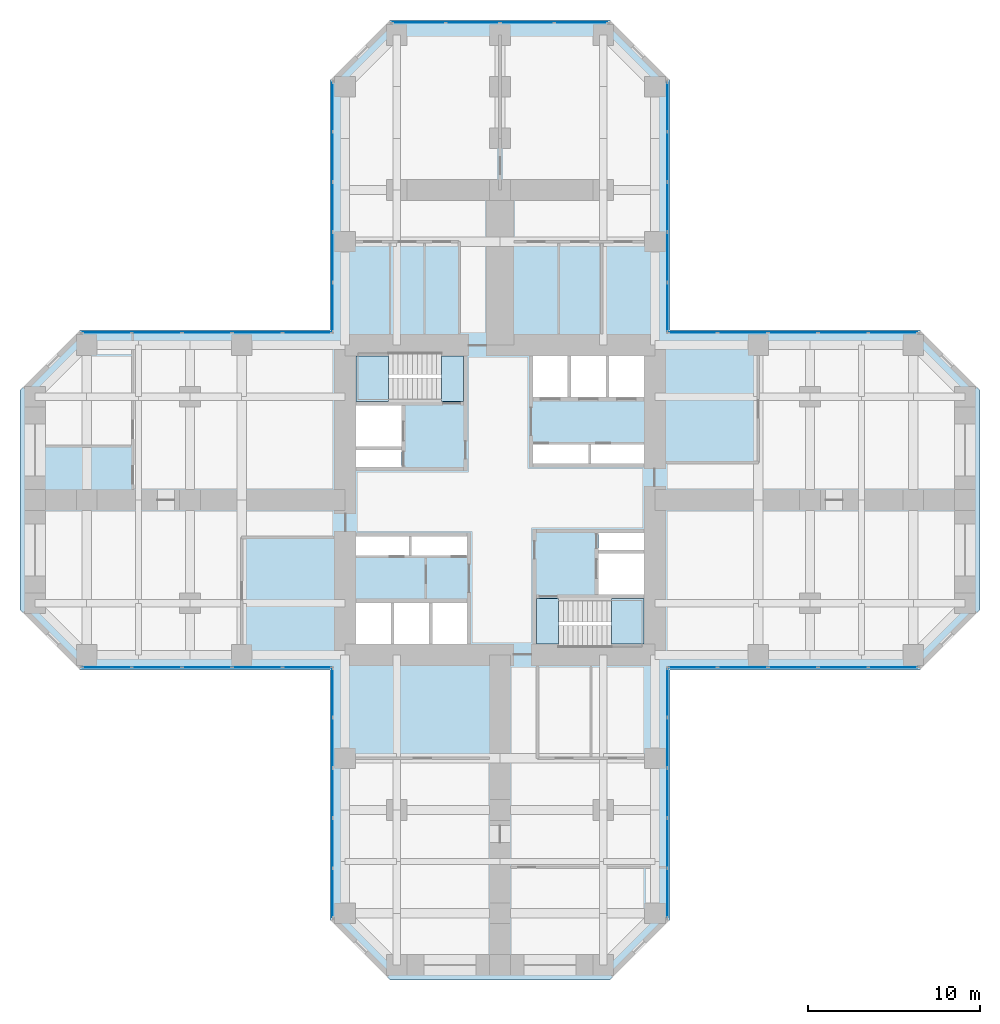
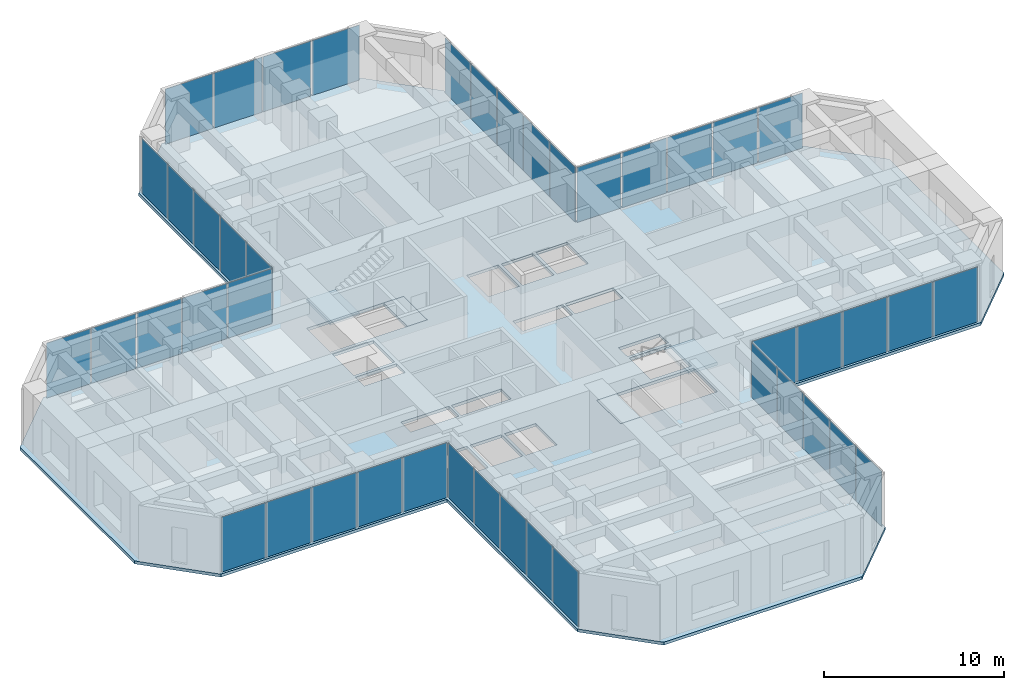
# One storey, part 7 of 12: 44 plates, 5 slabs, 11 elements without a shape of their own.
"""IFC4 building model written with IfcOpenShell, lengths in metres."""

from ifc_helpers import new_model, si_unit, direction, frame, origin, origin_2d, place, context, subcontext, project, spatial, polyline, rectangle, outline, extrude, material, layer, layer_set, type_object, element, aggregate, save


model = new_model("IFC4")

# Units and contexts
model_context = context("Model", 3, precision=1e-05, world=origin(), true_north=direction((0.0, 1.0)))
body_context = subcontext(model_context, "Body", "Model", "MODEL_VIEW")
ifc_project = project(units=[si_unit("LENGTHUNIT", "METRE"), si_unit("AREAUNIT", "SQUARE_METRE"), si_unit("VOLUMEUNIT", "CUBIC_METRE"), si_unit("PLANEANGLEUNIT", "RADIAN"), si_unit("MASSUNIT", "GRAM", prefix="KILO")], contexts=[model_context])

# Site, building, storey
site_placement = place(None, origin())
site = spatial("IfcSite", under=ifc_project, at=site_placement, CompositionType="ELEMENT")
building_placement = place(site_placement, origin())
building = spatial("IfcBuilding", under=site, at=building_placement, Name="Torre Cruceta", CompositionType="ELEMENT")
storey_placement = place(building_placement, frame((0.0, 0.0, 75.5)))
storey = spatial("IfcBuildingStorey", under=building, at=storey_placement, Name="L18", CompositionType="ELEMENT", Elevation=75.5)

# Curtain wall, plate
ifc_material_1 = material(Name="Aluminium unitised curtain wall", Category="aluminium")
curtain_wall_type = type_object("IfcCurtainWallType", Name="CURTAIN WALL CW-A OFFICE LOW RISE", PredefinedType="USERDEFINED", material=ifc_material_1)
curtain_wall_1_placement = place(storey_placement, origin())
curtain_wall_1 = element("IfcCurtainWall", 1, at=curtain_wall_1_placement, inside=storey, type_object=curtain_wall_type, Name="CW-A L18 E side 00", ObjectType="UNITISED", PredefinedType="USERDEFINED")
ifc_material_2 = material(Name="Laminated insulating glass unit, diagonal frit 50 %", Category="glass")
ifc_material_3 = material(Name="Laminated insulating glass unit, diagonal frit 50 %", Category="glass")
ifc_layer_1 = layer(ifc_material_3, 0.033935546875)
ifc_layer_set_1 = layer_set([ifc_layer_1], Name="Laminated insulating glass unit, diagonal frit 50 %")
plate_type_1 = type_object("IfcPlateType", Name="CW-A OPERABLE VENT PANEL 34", PredefinedType="CURTAIN_PANEL", material=ifc_layer_set_1)
plate_1_placement = place(storey_placement, frame((17.009033203125, -9.719970703125, 0.010009765625), z_axis=(0.0, 0.0, 1.0), x_axis=(1.0, 0.0, 0.0)))
plate_1 = element("IfcPlate", 2, at=plate_1_placement, type_object=plate_type_1, material=ifc_material_2, Name="CW-A vent 3", PredefinedType="CURTAIN_PANEL", context=body_context, shape_type="SweptSolid", body=[
    extrude(rectangle(XDim=2.8505859375, YDim=0.033935546875, at=origin_2d()), origin(), (0.0, 0.0, 1.0), 3.72509765625),
])

curtain_wall_2_placement = place(storey_placement, origin())
curtain_wall_2 = element("IfcCurtainWall", 3, at=curtain_wall_2_placement, inside=storey, type_object=curtain_wall_type, Name="CW-A L18 E side 04", ObjectType="UNITISED", PredefinedType="USERDEFINED")
plate_2_placement = place(storey_placement, frame((17.009033203125, 9.719970703125, 0.010009765625), z_axis=(0.0, 0.0, 1.0), x_axis=(-1.0, 0.0, 0.0)))
plate_2 = element("IfcPlate", 4, at=plate_2_placement, type_object=plate_type_1, material=ifc_material_2, Name="CW-A vent 3", PredefinedType="CURTAIN_PANEL", context=body_context, shape_type="SweptSolid", body=[
    extrude(rectangle(XDim=2.8505859375, YDim=0.033935546875, at=origin_2d()), origin(), (0.0, 0.0, 1.0), 3.72509765625),
])

curtain_wall_3_placement = place(storey_placement, origin())
curtain_wall_3 = element("IfcCurtainWall", 5, at=curtain_wall_3_placement, inside=storey, type_object=curtain_wall_type, Name="CW-A L18 N side 05", ObjectType="UNITISED", PredefinedType="USERDEFINED")
plate_3_placement = place(storey_placement, frame((9.719970703125, 17.009033203125, 0.010009765625), z_axis=(0.0, 0.0, 1.0), x_axis=(0.0, 1.0, 0.0)))
plate_3 = element("IfcPlate", 6, at=plate_3_placement, type_object=plate_type_1, material=ifc_material_2, Name="CW-A vent 3", PredefinedType="CURTAIN_PANEL", context=body_context, shape_type="SweptSolid", body=[
    extrude(rectangle(XDim=2.8505859375, YDim=0.033935546875, at=origin_2d()), origin(), (0.0, 0.0, 1.0), 3.72509765625),
])

curtain_wall_4_placement = place(storey_placement, origin())
curtain_wall_4 = element("IfcCurtainWall", 7, at=curtain_wall_4_placement, inside=storey, type_object=curtain_wall_type, Name="CW-A L18 N tip 07", ObjectType="UNITISED", PredefinedType="USERDEFINED")
plate_4_placement = place(storey_placement, frame((-1.574462890625, 27.719970703125, 0.010009765625), z_axis=(0.0, 0.0, 1.0), x_axis=(-1.0, 0.0, 0.0)))
plate_4 = element("IfcPlate", 8, at=plate_4_placement, type_object=plate_type_1, material=ifc_material_2, Name="CW-A vent 3", PredefinedType="CURTAIN_PANEL", context=body_context, shape_type="SweptSolid", body=[
    extrude(rectangle(XDim=3.084228515625, YDim=0.033935546875, at=origin_2d()), origin(), (0.0, 0.0, 1.0), 3.72509765625),
])

curtain_wall_5_placement = place(storey_placement, origin())
curtain_wall_5 = element("IfcCurtainWall", 9, at=curtain_wall_5_placement, inside=storey, type_object=curtain_wall_type, Name="CW-A L18 N side 09", ObjectType="UNITISED", PredefinedType="USERDEFINED")
plate_5_placement = place(storey_placement, frame((-9.719970703125, 17.009033203125, 0.010009765625), z_axis=(0.0, 0.0, 1.0), x_axis=(0.0, -1.0, 0.0)))
plate_5 = element("IfcPlate", 10, at=plate_5_placement, type_object=plate_type_1, material=ifc_material_2, Name="CW-A vent 3", PredefinedType="CURTAIN_PANEL", context=body_context, shape_type="SweptSolid", body=[
    extrude(rectangle(XDim=2.8505859375, YDim=0.033935546875, at=origin_2d()), origin(), (0.0, 0.0, 1.0), 3.72509765625),
])

curtain_wall_6_placement = place(storey_placement, origin())
curtain_wall_6 = element("IfcCurtainWall", 11, at=curtain_wall_6_placement, inside=storey, type_object=curtain_wall_type, Name="CW-A L18 W side 10", ObjectType="UNITISED", PredefinedType="USERDEFINED")
plate_6_placement = place(storey_placement, frame((-17.009033203125, 9.719970703125, 0.010009765625), z_axis=(0.0, 0.0, 1.0), x_axis=(-1.0, 0.0, 0.0)))
plate_6 = element("IfcPlate", 12, at=plate_6_placement, type_object=plate_type_1, material=ifc_material_2, Name="CW-A vent 3", PredefinedType="CURTAIN_PANEL", context=body_context, shape_type="SweptSolid", body=[
    extrude(rectangle(XDim=2.8505859375, YDim=0.033935546875, at=origin_2d()), origin(), (0.0, 0.0, 1.0), 3.72509765625),
])

curtain_wall_7_placement = place(storey_placement, origin())
curtain_wall_7 = element("IfcCurtainWall", 13, at=curtain_wall_7_placement, inside=storey, type_object=curtain_wall_type, Name="CW-A L18 W side 14", ObjectType="UNITISED", PredefinedType="USERDEFINED")
plate_7_placement = place(storey_placement, frame((-17.009033203125, -9.719970703125, 0.010009765625), z_axis=(0.0, 0.0, 1.0), x_axis=(1.0, 0.0, 0.0)))
plate_7 = element("IfcPlate", 14, at=plate_7_placement, type_object=plate_type_1, material=ifc_material_2, Name="CW-A vent 3", PredefinedType="CURTAIN_PANEL", context=body_context, shape_type="SweptSolid", body=[
    extrude(rectangle(XDim=2.8505859375, YDim=0.033935546875, at=origin_2d()), origin(), (0.0, 0.0, 1.0), 3.72509765625),
])

curtain_wall_8_placement = place(storey_placement, origin())
curtain_wall_8 = element("IfcCurtainWall", 15, at=curtain_wall_8_placement, inside=storey, type_object=curtain_wall_type, Name="CW-A L18 S side 15", ObjectType="UNITISED", PredefinedType="USERDEFINED")
plate_8_placement = place(storey_placement, frame((-9.719970703125, -17.009033203125, 0.010009765625), z_axis=(0.0, 0.0, 1.0), x_axis=(0.0, -1.0, 0.0)))
plate_8 = element("IfcPlate", 16, at=plate_8_placement, type_object=plate_type_1, material=ifc_material_2, Name="CW-A vent 3", PredefinedType="CURTAIN_PANEL", context=body_context, shape_type="SweptSolid", body=[
    extrude(rectangle(XDim=2.8505859375, YDim=0.033935546875, at=origin_2d()), origin(), (0.0, 0.0, 1.0), 3.72509765625),
])

curtain_wall_9_placement = place(storey_placement, origin())
curtain_wall_9 = element("IfcCurtainWall", 17, at=curtain_wall_9_placement, inside=storey, type_object=curtain_wall_type, Name="CW-A L18 S side 19", ObjectType="UNITISED", PredefinedType="USERDEFINED")
plate_9_placement = place(storey_placement, frame((9.719970703125, -17.009033203125, 0.010009765625), z_axis=(0.0, 0.0, 1.0), x_axis=(0.0, 1.0, 0.0)))
plate_9 = element("IfcPlate", 18, at=plate_9_placement, type_object=plate_type_1, material=ifc_material_2, Name="CW-A vent 3", PredefinedType="CURTAIN_PANEL", context=body_context, shape_type="SweptSolid", body=[
    extrude(rectangle(XDim=2.8505859375, YDim=0.033935546875, at=origin_2d()), origin(), (0.0, 0.0, 1.0), 3.72509765625),
])

# Plate
ifc_material_4 = material(Name="Laminated insulating glass unit, low-iron clear", Category="glass")
ifc_material_5 = material(Name="Laminated insulating glass unit, diagonal frit 50 %", Category="glass")
ifc_layer_2 = layer(ifc_material_5, 0.033935546875)
ifc_layer_set_2 = layer_set([ifc_layer_2], Name="Laminated insulating glass unit, diagonal frit 50 %")
plate_type_2 = type_object("IfcPlateType", Name="CW-A PANEL 34", PredefinedType="CURTAIN_PANEL", material=ifc_layer_set_2)
plate_10_placement = place(storey_placement, frame((11.194091796875, -9.719970703125, 0.010009765625), z_axis=(0.0, 0.0, 1.0), x_axis=(1.0, 0.0, 0.0)))
plate_10 = element("IfcPlate", 19, at=plate_10_placement, type_object=plate_type_2, material=ifc_material_4, Name="CW-A panel 1", PredefinedType="CURTAIN_PANEL", context=body_context, shape_type="SweptSolid", body=[
    extrude(rectangle(XDim=2.818115234375, YDim=0.033935546875, at=origin_2d()), origin(), (0.0, 0.0, 1.0), 3.72509765625),
])

plate_11_placement = place(storey_placement, frame((14.093505859375, -9.719970703125, 0.010009765625), z_axis=(0.0, 0.0, 1.0), x_axis=(1.0, 0.0, 0.0)))
plate_11 = element("IfcPlate", 20, at=plate_11_placement, type_object=plate_type_2, material=ifc_material_4, Name="CW-A panel 2", PredefinedType="CURTAIN_PANEL", context=body_context, shape_type="SweptSolid", body=[
    extrude(rectangle(XDim=2.8505859375, YDim=0.033935546875, at=origin_2d()), origin(), (0.0, 0.0, 1.0), 3.72509765625),
])

plate_12_placement = place(storey_placement, frame((19.9248046875, -9.719970703125, 0.010009765625), z_axis=(0.0, 0.0, 1.0), x_axis=(1.0, 0.0, 0.0)))
plate_12 = element("IfcPlate", 21, at=plate_12_placement, type_object=plate_type_2, material=ifc_material_2, Name="CW-A panel 4", PredefinedType="CURTAIN_PANEL", context=body_context, shape_type="SweptSolid", body=[
    extrude(rectangle(XDim=2.8505859375, YDim=0.033935546875, at=origin_2d()), origin(), (0.0, 0.0, 1.0), 3.72509765625),
])

plate_13_placement = place(storey_placement, frame((22.82421875, -9.719970703125, 0.010009765625), z_axis=(0.0, 0.0, 1.0), x_axis=(1.0, 0.0, 0.0)))
plate_13 = element("IfcPlate", 22, at=plate_13_placement, type_object=plate_type_2, material=ifc_material_2, Name="CW-A panel 5", PredefinedType="CURTAIN_PANEL", context=body_context, shape_type="SweptSolid", body=[
    extrude(rectangle(XDim=2.818115234375, YDim=0.033935546875, at=origin_2d()), origin(), (0.0, 0.0, 1.0), 3.72509765625),
])

aggregate(curtain_wall_1, [plate_10, plate_11, plate_1, plate_12, plate_13])

plate_14_placement = place(storey_placement, frame((22.82421875, 9.719970703125, 0.010009765625), z_axis=(0.0, 0.0, 1.0), x_axis=(-1.0, 0.0, 0.0)))
plate_14 = element("IfcPlate", 23, at=plate_14_placement, type_object=plate_type_2, material=ifc_material_4, Name="CW-A panel 1", PredefinedType="CURTAIN_PANEL", context=body_context, shape_type="SweptSolid", body=[
    extrude(rectangle(XDim=2.818115234375, YDim=0.033935546875, at=origin_2d()), origin(), (0.0, 0.0, 1.0), 3.72509765625),
])

plate_15_placement = place(storey_placement, frame((19.9248046875, 9.719970703125, 0.010009765625), z_axis=(0.0, 0.0, 1.0), x_axis=(-1.0, 0.0, 0.0)))
plate_15 = element("IfcPlate", 24, at=plate_15_placement, type_object=plate_type_2, material=ifc_material_4, Name="CW-A panel 2", PredefinedType="CURTAIN_PANEL", context=body_context, shape_type="SweptSolid", body=[
    extrude(rectangle(XDim=2.8505859375, YDim=0.033935546875, at=origin_2d()), origin(), (0.0, 0.0, 1.0), 3.72509765625),
])

plate_16_placement = place(storey_placement, frame((14.093505859375, 9.719970703125, 0.010009765625), z_axis=(0.0, 0.0, 1.0), x_axis=(-1.0, 0.0, 0.0)))
plate_16 = element("IfcPlate", 25, at=plate_16_placement, type_object=plate_type_2, material=ifc_material_2, Name="CW-A panel 4", PredefinedType="CURTAIN_PANEL", context=body_context, shape_type="SweptSolid", body=[
    extrude(rectangle(XDim=2.8505859375, YDim=0.033935546875, at=origin_2d()), origin(), (0.0, 0.0, 1.0), 3.72509765625),
])

plate_17_placement = place(storey_placement, frame((11.194091796875, 9.719970703125, 0.010009765625), z_axis=(0.0, 0.0, 1.0), x_axis=(-1.0, 0.0, 0.0)))
plate_17 = element("IfcPlate", 26, at=plate_17_placement, type_object=plate_type_2, material=ifc_material_2, Name="CW-A panel 5", PredefinedType="CURTAIN_PANEL", context=body_context, shape_type="SweptSolid", body=[
    extrude(rectangle(XDim=2.818115234375, YDim=0.033935546875, at=origin_2d()), origin(), (0.0, 0.0, 1.0), 3.72509765625),
])

aggregate(curtain_wall_2, [plate_14, plate_15, plate_2, plate_16, plate_17])

plate_18_placement = place(storey_placement, frame((9.719970703125, 11.194091796875, 0.010009765625), z_axis=(0.0, 0.0, 1.0), x_axis=(0.0, 1.0, 0.0)))
plate_18 = element("IfcPlate", 27, at=plate_18_placement, type_object=plate_type_2, material=ifc_material_4, Name="CW-A panel 1", PredefinedType="CURTAIN_PANEL", context=body_context, shape_type="SweptSolid", body=[
    extrude(rectangle(XDim=2.818115234375, YDim=0.033935546875, at=origin_2d()), origin(), (0.0, 0.0, 1.0), 3.72509765625),
])

plate_19_placement = place(storey_placement, frame((9.719970703125, 14.093505859375, 0.010009765625), z_axis=(0.0, 0.0, 1.0), x_axis=(0.0, 1.0, 0.0)))
plate_19 = element("IfcPlate", 28, at=plate_19_placement, type_object=plate_type_2, material=ifc_material_4, Name="CW-A panel 2", PredefinedType="CURTAIN_PANEL", context=body_context, shape_type="SweptSolid", body=[
    extrude(rectangle(XDim=2.8505859375, YDim=0.033935546875, at=origin_2d()), origin(), (0.0, 0.0, 1.0), 3.72509765625),
])

plate_20_placement = place(storey_placement, frame((9.719970703125, 19.9248046875, 0.010009765625), z_axis=(0.0, 0.0, 1.0), x_axis=(0.0, 1.0, 0.0)))
plate_20 = element("IfcPlate", 29, at=plate_20_placement, type_object=plate_type_2, material=ifc_material_2, Name="CW-A panel 4", PredefinedType="CURTAIN_PANEL", context=body_context, shape_type="SweptSolid", body=[
    extrude(rectangle(XDim=2.8505859375, YDim=0.033935546875, at=origin_2d()), origin(), (0.0, 0.0, 1.0), 3.72509765625),
])

plate_21_placement = place(storey_placement, frame((9.719970703125, 22.82421875, 0.010009765625), z_axis=(0.0, 0.0, 1.0), x_axis=(0.0, 1.0, 0.0)))
plate_21 = element("IfcPlate", 30, at=plate_21_placement, type_object=plate_type_2, material=ifc_material_2, Name="CW-A panel 5", PredefinedType="CURTAIN_PANEL", context=body_context, shape_type="SweptSolid", body=[
    extrude(rectangle(XDim=2.818115234375, YDim=0.033935546875, at=origin_2d()), origin(), (0.0, 0.0, 1.0), 3.72509765625),
])

aggregate(curtain_wall_3, [plate_18, plate_19, plate_3, plate_20, plate_21])

plate_22_placement = place(storey_placement, frame((4.70751953125, 27.719970703125, 0.010009765625), z_axis=(0.0, 0.0, 1.0), x_axis=(-1.0, 0.0, 0.0)))
plate_22 = element("IfcPlate", 31, at=plate_22_placement, type_object=plate_type_2, material=ifc_material_4, Name="CW-A panel 1", PredefinedType="CURTAIN_PANEL", context=body_context, shape_type="SweptSolid", body=[
    extrude(rectangle(XDim=3.051513671875, YDim=0.033935546875, at=origin_2d()), origin(), (0.0, 0.0, 1.0), 3.72509765625),
])

plate_23_placement = place(storey_placement, frame((1.574462890625, 27.719970703125, 0.010009765625), z_axis=(0.0, 0.0, 1.0), x_axis=(-1.0, 0.0, 0.0)))
plate_23 = element("IfcPlate", 32, at=plate_23_placement, type_object=plate_type_2, material=ifc_material_4, Name="CW-A panel 2", PredefinedType="CURTAIN_PANEL", context=body_context, shape_type="SweptSolid", body=[
    extrude(rectangle(XDim=3.084228515625, YDim=0.033935546875, at=origin_2d()), origin(), (0.0, 0.0, 1.0), 3.72509765625),
])

plate_24_placement = place(storey_placement, frame((-4.70751953125, 27.719970703125, 0.010009765625), z_axis=(0.0, 0.0, 1.0), x_axis=(-1.0, 0.0, 0.0)))
plate_24 = element("IfcPlate", 33, at=plate_24_placement, type_object=plate_type_2, material=ifc_material_2, Name="CW-A panel 4", PredefinedType="CURTAIN_PANEL", context=body_context, shape_type="SweptSolid", body=[
    extrude(rectangle(XDim=3.051513671875, YDim=0.033935546875, at=origin_2d()), origin(), (0.0, 0.0, 1.0), 3.72509765625),
])

aggregate(curtain_wall_4, [plate_22, plate_23, plate_4, plate_24])

plate_25_placement = place(storey_placement, frame((-9.719970703125, 22.82421875, 0.010009765625), z_axis=(0.0, 0.0, 1.0), x_axis=(0.0, -1.0, 0.0)))
plate_25 = element("IfcPlate", 34, at=plate_25_placement, type_object=plate_type_2, material=ifc_material_4, Name="CW-A panel 1", PredefinedType="CURTAIN_PANEL", context=body_context, shape_type="SweptSolid", body=[
    extrude(rectangle(XDim=2.818115234375, YDim=0.033935546875, at=origin_2d()), origin(), (0.0, 0.0, 1.0), 3.72509765625),
])

plate_26_placement = place(storey_placement, frame((-9.719970703125, 19.9248046875, 0.010009765625), z_axis=(0.0, 0.0, 1.0), x_axis=(0.0, -1.0, 0.0)))
plate_26 = element("IfcPlate", 35, at=plate_26_placement, type_object=plate_type_2, material=ifc_material_4, Name="CW-A panel 2", PredefinedType="CURTAIN_PANEL", context=body_context, shape_type="SweptSolid", body=[
    extrude(rectangle(XDim=2.8505859375, YDim=0.033935546875, at=origin_2d()), origin(), (0.0, 0.0, 1.0), 3.72509765625),
])

plate_27_placement = place(storey_placement, frame((-9.719970703125, 14.093505859375, 0.010009765625), z_axis=(0.0, 0.0, 1.0), x_axis=(0.0, -1.0, 0.0)))
plate_27 = element("IfcPlate", 36, at=plate_27_placement, type_object=plate_type_2, material=ifc_material_2, Name="CW-A panel 4", PredefinedType="CURTAIN_PANEL", context=body_context, shape_type="SweptSolid", body=[
    extrude(rectangle(XDim=2.8505859375, YDim=0.033935546875, at=origin_2d()), origin(), (0.0, 0.0, 1.0), 3.72509765625),
])

plate_28_placement = place(storey_placement, frame((-9.719970703125, 11.194091796875, 0.010009765625), z_axis=(0.0, 0.0, 1.0), x_axis=(0.0, -1.0, 0.0)))
plate_28 = element("IfcPlate", 37, at=plate_28_placement, type_object=plate_type_2, material=ifc_material_2, Name="CW-A panel 5", PredefinedType="CURTAIN_PANEL", context=body_context, shape_type="SweptSolid", body=[
    extrude(rectangle(XDim=2.818115234375, YDim=0.033935546875, at=origin_2d()), origin(), (0.0, 0.0, 1.0), 3.72509765625),
])

aggregate(curtain_wall_5, [plate_25, plate_26, plate_5, plate_27, plate_28])

plate_29_placement = place(storey_placement, frame((-11.194091796875, 9.719970703125, 0.010009765625), z_axis=(0.0, 0.0, 1.0), x_axis=(-1.0, 0.0, 0.0)))
plate_29 = element("IfcPlate", 38, at=plate_29_placement, type_object=plate_type_2, material=ifc_material_4, Name="CW-A panel 1", PredefinedType="CURTAIN_PANEL", context=body_context, shape_type="SweptSolid", body=[
    extrude(rectangle(XDim=2.818115234375, YDim=0.033935546875, at=origin_2d()), origin(), (0.0, 0.0, 1.0), 3.72509765625),
])

plate_30_placement = place(storey_placement, frame((-14.093505859375, 9.719970703125, 0.010009765625), z_axis=(0.0, 0.0, 1.0), x_axis=(-1.0, 0.0, 0.0)))
plate_30 = element("IfcPlate", 39, at=plate_30_placement, type_object=plate_type_2, material=ifc_material_4, Name="CW-A panel 2", PredefinedType="CURTAIN_PANEL", context=body_context, shape_type="SweptSolid", body=[
    extrude(rectangle(XDim=2.8505859375, YDim=0.033935546875, at=origin_2d()), origin(), (0.0, 0.0, 1.0), 3.72509765625),
])

plate_31_placement = place(storey_placement, frame((-19.9248046875, 9.719970703125, 0.010009765625), z_axis=(0.0, 0.0, 1.0), x_axis=(-1.0, 0.0, 0.0)))
plate_31 = element("IfcPlate", 40, at=plate_31_placement, type_object=plate_type_2, material=ifc_material_2, Name="CW-A panel 4", PredefinedType="CURTAIN_PANEL", context=body_context, shape_type="SweptSolid", body=[
    extrude(rectangle(XDim=2.8505859375, YDim=0.033935546875, at=origin_2d()), origin(), (0.0, 0.0, 1.0), 3.72509765625),
])

plate_32_placement = place(storey_placement, frame((-22.82421875, 9.719970703125, 0.010009765625), z_axis=(0.0, 0.0, 1.0), x_axis=(-1.0, 0.0, 0.0)))
plate_32 = element("IfcPlate", 41, at=plate_32_placement, type_object=plate_type_2, material=ifc_material_2, Name="CW-A panel 5", PredefinedType="CURTAIN_PANEL", context=body_context, shape_type="SweptSolid", body=[
    extrude(rectangle(XDim=2.818115234375, YDim=0.033935546875, at=origin_2d()), origin(), (0.0, 0.0, 1.0), 3.72509765625),
])

aggregate(curtain_wall_6, [plate_29, plate_30, plate_6, plate_31, plate_32])

plate_33_placement = place(storey_placement, frame((-22.82421875, -9.719970703125, 0.010009765625), z_axis=(0.0, 0.0, 1.0), x_axis=(1.0, 0.0, 0.0)))
plate_33 = element("IfcPlate", 42, at=plate_33_placement, type_object=plate_type_2, material=ifc_material_4, Name="CW-A panel 1", PredefinedType="CURTAIN_PANEL", context=body_context, shape_type="SweptSolid", body=[
    extrude(rectangle(XDim=2.818115234375, YDim=0.033935546875, at=origin_2d()), origin(), (0.0, 0.0, 1.0), 3.72509765625),
])

plate_34_placement = place(storey_placement, frame((-19.9248046875, -9.719970703125, 0.010009765625), z_axis=(0.0, 0.0, 1.0), x_axis=(1.0, 0.0, 0.0)))
plate_34 = element("IfcPlate", 43, at=plate_34_placement, type_object=plate_type_2, material=ifc_material_4, Name="CW-A panel 2", PredefinedType="CURTAIN_PANEL", context=body_context, shape_type="SweptSolid", body=[
    extrude(rectangle(XDim=2.8505859375, YDim=0.033935546875, at=origin_2d()), origin(), (0.0, 0.0, 1.0), 3.72509765625),
])

plate_35_placement = place(storey_placement, frame((-14.093505859375, -9.719970703125, 0.010009765625), z_axis=(0.0, 0.0, 1.0), x_axis=(1.0, 0.0, 0.0)))
plate_35 = element("IfcPlate", 44, at=plate_35_placement, type_object=plate_type_2, material=ifc_material_2, Name="CW-A panel 4", PredefinedType="CURTAIN_PANEL", context=body_context, shape_type="SweptSolid", body=[
    extrude(rectangle(XDim=2.8505859375, YDim=0.033935546875, at=origin_2d()), origin(), (0.0, 0.0, 1.0), 3.72509765625),
])

plate_36_placement = place(storey_placement, frame((-11.194091796875, -9.719970703125, 0.010009765625), z_axis=(0.0, 0.0, 1.0), x_axis=(1.0, 0.0, 0.0)))
plate_36 = element("IfcPlate", 45, at=plate_36_placement, type_object=plate_type_2, material=ifc_material_2, Name="CW-A panel 5", PredefinedType="CURTAIN_PANEL", context=body_context, shape_type="SweptSolid", body=[
    extrude(rectangle(XDim=2.818115234375, YDim=0.033935546875, at=origin_2d()), origin(), (0.0, 0.0, 1.0), 3.72509765625),
])

aggregate(curtain_wall_7, [plate_33, plate_34, plate_7, plate_35, plate_36])

plate_37_placement = place(storey_placement, frame((-9.719970703125, -11.194091796875, 0.010009765625), z_axis=(0.0, 0.0, 1.0), x_axis=(0.0, -1.0, 0.0)))
plate_37 = element("IfcPlate", 46, at=plate_37_placement, type_object=plate_type_2, material=ifc_material_4, Name="CW-A panel 1", PredefinedType="CURTAIN_PANEL", context=body_context, shape_type="SweptSolid", body=[
    extrude(rectangle(XDim=2.818115234375, YDim=0.033935546875, at=origin_2d()), origin(), (0.0, 0.0, 1.0), 3.72509765625),
])

plate_38_placement = place(storey_placement, frame((-9.719970703125, -14.093505859375, 0.010009765625), z_axis=(0.0, 0.0, 1.0), x_axis=(0.0, -1.0, 0.0)))
plate_38 = element("IfcPlate", 47, at=plate_38_placement, type_object=plate_type_2, material=ifc_material_4, Name="CW-A panel 2", PredefinedType="CURTAIN_PANEL", context=body_context, shape_type="SweptSolid", body=[
    extrude(rectangle(XDim=2.8505859375, YDim=0.033935546875, at=origin_2d()), origin(), (0.0, 0.0, 1.0), 3.72509765625),
])

plate_39_placement = place(storey_placement, frame((-9.719970703125, -19.9248046875, 0.010009765625), z_axis=(0.0, 0.0, 1.0), x_axis=(0.0, -1.0, 0.0)))
plate_39 = element("IfcPlate", 48, at=plate_39_placement, type_object=plate_type_2, material=ifc_material_2, Name="CW-A panel 4", PredefinedType="CURTAIN_PANEL", context=body_context, shape_type="SweptSolid", body=[
    extrude(rectangle(XDim=2.8505859375, YDim=0.033935546875, at=origin_2d()), origin(), (0.0, 0.0, 1.0), 3.72509765625),
])

plate_40_placement = place(storey_placement, frame((-9.719970703125, -22.82421875, 0.010009765625), z_axis=(0.0, 0.0, 1.0), x_axis=(0.0, -1.0, 0.0)))
plate_40 = element("IfcPlate", 49, at=plate_40_placement, type_object=plate_type_2, material=ifc_material_2, Name="CW-A panel 5", PredefinedType="CURTAIN_PANEL", context=body_context, shape_type="SweptSolid", body=[
    extrude(rectangle(XDim=2.818115234375, YDim=0.033935546875, at=origin_2d()), origin(), (0.0, 0.0, 1.0), 3.72509765625),
])

aggregate(curtain_wall_8, [plate_37, plate_38, plate_8, plate_39, plate_40])

plate_41_placement = place(storey_placement, frame((9.719970703125, -22.82421875, 0.010009765625), z_axis=(0.0, 0.0, 1.0), x_axis=(0.0, 1.0, 0.0)))
plate_41 = element("IfcPlate", 50, at=plate_41_placement, type_object=plate_type_2, material=ifc_material_4, Name="CW-A panel 1", PredefinedType="CURTAIN_PANEL", context=body_context, shape_type="SweptSolid", body=[
    extrude(rectangle(XDim=2.818115234375, YDim=0.033935546875, at=origin_2d()), origin(), (0.0, 0.0, 1.0), 3.72509765625),
])

plate_42_placement = place(storey_placement, frame((9.719970703125, -19.9248046875, 0.010009765625), z_axis=(0.0, 0.0, 1.0), x_axis=(0.0, 1.0, 0.0)))
plate_42 = element("IfcPlate", 51, at=plate_42_placement, type_object=plate_type_2, material=ifc_material_4, Name="CW-A panel 2", PredefinedType="CURTAIN_PANEL", context=body_context, shape_type="SweptSolid", body=[
    extrude(rectangle(XDim=2.8505859375, YDim=0.033935546875, at=origin_2d()), origin(), (0.0, 0.0, 1.0), 3.72509765625),
])

plate_43_placement = place(storey_placement, frame((9.719970703125, -14.093505859375, 0.010009765625), z_axis=(0.0, 0.0, 1.0), x_axis=(0.0, 1.0, 0.0)))
plate_43 = element("IfcPlate", 52, at=plate_43_placement, type_object=plate_type_2, material=ifc_material_2, Name="CW-A panel 4", PredefinedType="CURTAIN_PANEL", context=body_context, shape_type="SweptSolid", body=[
    extrude(rectangle(XDim=2.8505859375, YDim=0.033935546875, at=origin_2d()), origin(), (0.0, 0.0, 1.0), 3.72509765625),
])

plate_44_placement = place(storey_placement, frame((9.719970703125, -11.194091796875, 0.010009765625), z_axis=(0.0, 0.0, 1.0), x_axis=(0.0, 1.0, 0.0)))
plate_44 = element("IfcPlate", 53, at=plate_44_placement, type_object=plate_type_2, material=ifc_material_2, Name="CW-A panel 5", PredefinedType="CURTAIN_PANEL", context=body_context, shape_type="SweptSolid", body=[
    extrude(rectangle(XDim=2.818115234375, YDim=0.033935546875, at=origin_2d()), origin(), (0.0, 0.0, 1.0), 3.72509765625),
])

aggregate(curtain_wall_9, [plate_41, plate_42, plate_9, plate_43, plate_44])

# Slab
ifc_material_6 = material(Name="Concrete G35 (fck 35 MPa)", Category="concrete")
ifc_layer_3 = layer(ifc_material_6, 0.199951171875)
ifc_layer_set_3 = layer_set([ifc_layer_3], Name="Concrete G35 (fck 35 MPa)")
slab_type_1 = type_object("IfcSlabType", Name="FLOOR SLAB 200", PredefinedType="FLOOR", material=ifc_layer_set_3)
slab_1_placement = place(storey_placement, frame((0.0, 0.0, -0.199951171875)))
element("IfcSlab", 54, at=slab_1_placement, inside=storey, type_object=slab_type_1, Name="Floor Slab L18", PredefinedType="FLOOR", context=body_context, shape_type="SweptSolid", body=[
    extrude(outline(polyline([(9.8701171875, -9.8701171875), (9.8701171875, -24.3603515625), (6.3603515625, -27.8701171875), (-6.3603515625, -27.8701171875), (-9.8701171875, -24.3603515625), (-9.8701171875, -9.8701171875), (-24.3603515625, -9.8701171875), (-27.8701171875, -6.3603515625), (-27.8701171875, 6.3603515625), (-24.3603515625, 9.8701171875), (-9.8701171875, 9.8701171875), (-9.8701171875, 24.3603515625), (-6.3603515625, 27.8701171875), (6.3603515625, 27.8701171875), (9.8701171875, 24.3603515625), (9.8701171875, 9.8701171875), (24.3603515625, 9.8701171875), (27.8701171875, 6.3603515625), (27.8701171875, -6.3603515625), (24.3603515625, -9.8701171875), (9.8701171875, -9.8701171875)]), holes=[polyline([(1.925048828125, 5.97509765625), (3.933349609375, 5.97509765625), (3.933349609375, 8.35009765625), (1.925048828125, 8.35009765625), (1.925048828125, 5.97509765625)]), polyline([(4.13330078125, 5.97509765625), (6.1416015625, 5.97509765625), (6.1416015625, 8.35009765625), (4.13330078125, 8.35009765625), (4.13330078125, 5.97509765625)]), polyline([(6.341552734375, 5.97509765625), (8.35009765625, 5.97509765625), (8.35009765625, 8.35009765625), (6.341552734375, 8.35009765625), (6.341552734375, 5.97509765625)]), polyline([(1.925048828125, 2.125), (5.125, 2.125), (5.125, 3.22509765625), (1.925048828125, 3.22509765625), (1.925048828125, 2.125)]), polyline([(5.27490234375, 2.125), (8.35009765625, 2.125), (8.35009765625, 3.22509765625), (5.27490234375, 3.22509765625), (5.27490234375, 2.125)]), polyline([(-8.35009765625, 3.10009765625), (-5.72509765625, 3.10009765625), (-5.72509765625, 5.47509765625), (-8.35009765625, 5.47509765625), (-8.35009765625, 3.10009765625)]), polyline([(-8.35009765625, 1.925048828125), (-5.72509765625, 1.925048828125), (-5.72509765625, 2.89990234375), (-8.35009765625, 2.89990234375), (-8.35009765625, 1.925048828125)]), polyline([(-3.933349609375, -8.35009765625), (-1.925048828125, -8.35009765625), (-1.925048828125, -5.97509765625), (-3.933349609375, -5.97509765625), (-3.933349609375, -8.35009765625)]), polyline([(-6.1416015625, -8.35009765625), (-4.13330078125, -8.35009765625), (-4.13330078125, -5.97509765625), (-6.1416015625, -5.97509765625), (-6.1416015625, -8.35009765625)]), polyline([(-8.35009765625, -8.35009765625), (-6.341552734375, -8.35009765625), (-6.341552734375, -5.97509765625), (-8.35009765625, -5.97509765625), (-8.35009765625, -8.35009765625)]), polyline([(-5.125, -3.22509765625), (-1.925048828125, -3.22509765625), (-1.925048828125, -2.125), (-5.125, -2.125), (-5.125, -3.22509765625)]), polyline([(-8.35009765625, -3.22509765625), (-5.27490234375, -3.22509765625), (-5.27490234375, -2.125), (-8.35009765625, -2.125), (-8.35009765625, -3.22509765625)]), polyline([(5.72509765625, -5.47509765625), (8.35009765625, -5.47509765625), (8.35009765625, -3.10009765625), (5.72509765625, -3.10009765625), (5.72509765625, -5.47509765625)]), polyline([(5.72509765625, -2.89990234375), (8.35009765625, -2.89990234375), (8.35009765625, -1.925048828125), (5.72509765625, -1.925048828125), (5.72509765625, -2.89990234375)]), polyline([(-8.35009765625, 5.72509765625), (-8.35009765625, 8.35009765625), (-3.39990234375, 8.35009765625), (-2.125, 8.35009765625), (-2.125, 5.72509765625), (-3.39990234375, 5.72509765625), (-8.35009765625, 5.72509765625)]), polyline([(2.125, -5.72509765625), (3.39990234375, -5.72509765625), (8.35009765625, -5.72509765625), (8.35009765625, -8.35009765625), (3.39990234375, -8.35009765625), (2.125, -8.35009765625), (2.125, -5.72509765625)])]), origin(), (0.0, 0.0, 1.0), 0.199951171875),
])

# Stair, slab
ifc_material_7 = material(Name="Concrete G30 (fck 30 MPa)", Category="concrete")
stair_type = type_object("IfcStairType", Name="STAIR HALF-TURN 1300", PredefinedType="HALF_TURN_STAIR", material=ifc_material_7)
stair_1_placement = place(storey_placement, origin())
stair_1 = element("IfcStair", 55, at=stair_1_placement, inside=storey, type_object=stair_type, Name="Stair ST1 L18", PredefinedType="HALF_TURN_STAIR")
ifc_material_8 = material(Name="Concrete G30 (fck 30 MPa)", Category="concrete")
ifc_layer_4 = layer(ifc_material_8, 0.199951171875)
ifc_layer_set_4 = layer_set([ifc_layer_4], Name="Concrete G30 (fck 30 MPa)")
slab_type_2 = type_object("IfcSlabType", Name="STAIR LANDING 200", PredefinedType="LANDING", material=ifc_layer_set_4)
slab_2_placement = place(storey_placement, frame((0.0, 0.0, 1.800048828125)))
slab_2 = element("IfcSlab", 56, at=slab_2_placement, type_object=slab_type_2, Name="ST1 landing 1", PredefinedType="LANDING", context=body_context, shape_type="SweptSolid", body=[
    extrude(outline(polyline([(-8.35009765625, 5.72509765625), (-6.47998046875, 5.72509765625), (-6.47998046875, 8.35009765625), (-8.35009765625, 8.35009765625), (-8.35009765625, 5.72509765625)])), origin(), (0.0, 0.0, 1.0), 0.199951171875),
])
aggregate(stair_1, [slab_2])

stair_2_placement = place(storey_placement, origin())
stair_2 = element("IfcStair", 57, at=stair_2_placement, inside=storey, type_object=stair_type, Name="Stair ST2 L18", PredefinedType="HALF_TURN_STAIR")
slab_3_placement = place(storey_placement, frame((0.0, 0.0, 1.800048828125)))
slab_3 = element("IfcSlab", 58, at=slab_3_placement, type_object=slab_type_2, Name="ST2 landing 1", PredefinedType="LANDING", context=body_context, shape_type="SweptSolid", body=[
    extrude(outline(polyline([(6.47998046875, -8.35009765625), (8.35009765625, -8.35009765625), (8.35009765625, -5.72509765625), (6.47998046875, -5.72509765625), (6.47998046875, -8.35009765625)])), origin(), (0.0, 0.0, 1.0), 0.199951171875),
])
aggregate(stair_2, [slab_3])

# Slabs
slab_4_placement = place(storey_placement, frame((0.0, 0.0, -0.199951171875)))
element("IfcSlab", 59, at=slab_4_placement, inside=storey, type_object=slab_type_2, Name="Stair ST1 floor landing L18", PredefinedType="LANDING", context=body_context, shape_type="SweptSolid", body=[
    extrude(outline(polyline([(-2.125, 8.35009765625), (-2.125, 5.72509765625), (-3.39990234375, 5.72509765625), (-3.39990234375, 8.35009765625), (-2.125, 8.35009765625)])), origin(), (0.0, 0.0, 1.0), 0.199951171875),
])
slab_5_placement = place(storey_placement, frame((0.0, 0.0, -0.199951171875)))
element("IfcSlab", 60, at=slab_5_placement, inside=storey, type_object=slab_type_2, Name="Stair ST2 floor landing L18", PredefinedType="LANDING", context=body_context, shape_type="SweptSolid", body=[
    extrude(outline(polyline([(2.125, -8.35009765625), (2.125, -5.72509765625), (3.39990234375, -5.72509765625), (3.39990234375, -8.35009765625), (2.125, -8.35009765625)])), origin(), (0.0, 0.0, 1.0), 0.199951171875),
])

save(model, "model.ifc")
